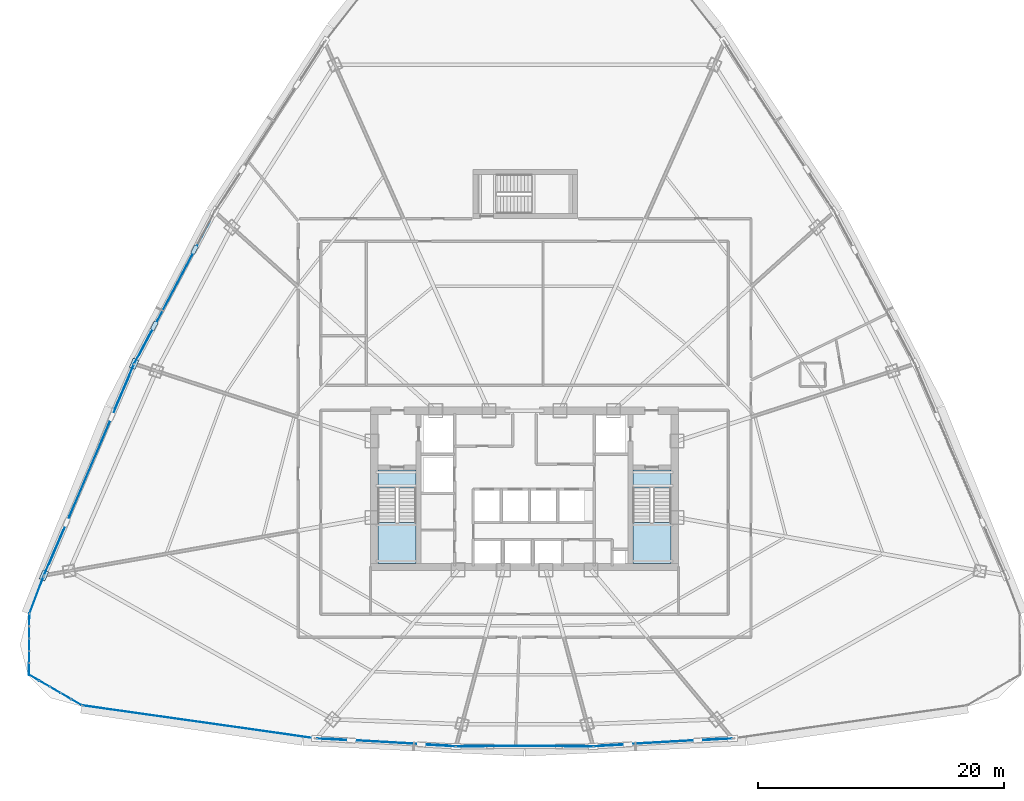
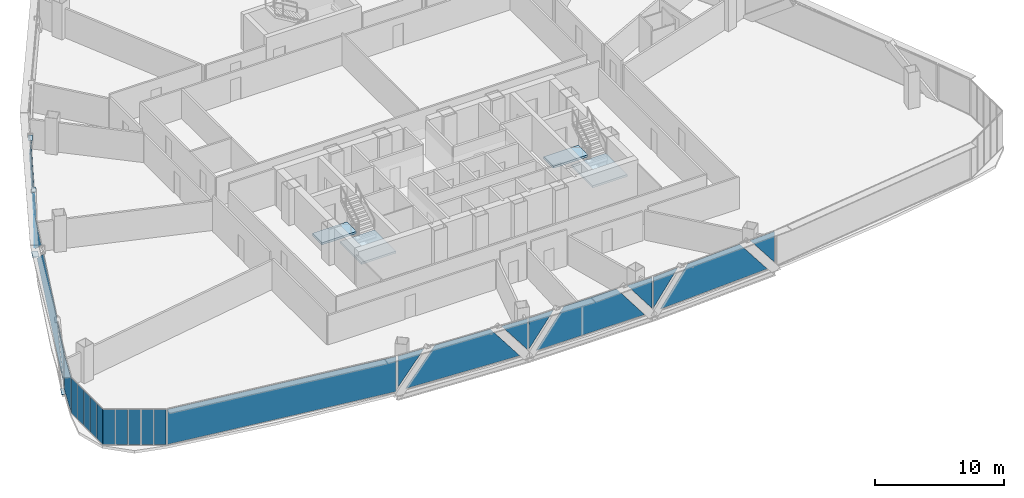
# One storey, part 31 of 42: 30 plates, 4 slabs, 11 elements without a shape of their own.
"""IFC4 building model written with IfcOpenShell, lengths in metres."""

from ifc_helpers import new_model, si_unit, direction, frame, origin, origin_2d, place, context, subcontext, project, spatial, polyline, rectangle, outline, extrude, source, transform, mapped, material, layer, layer_set, type_object, element, aggregate, save


model = new_model("IFC4")

# Units and contexts
model_context = context("Model", 3, precision=1e-05, world=origin(), true_north=direction((0.0, 1.0)))
body_context = subcontext(model_context, "Body", "Model", "MODEL_VIEW")
ifc_project = project(units=[si_unit("LENGTHUNIT", "METRE"), si_unit("AREAUNIT", "SQUARE_METRE"), si_unit("VOLUMEUNIT", "CUBIC_METRE"), si_unit("PLANEANGLEUNIT", "RADIAN"), si_unit("MASSUNIT", "GRAM", prefix="KILO"), si_unit("THERMODYNAMICTEMPERATUREUNIT", "KELVIN"), si_unit("POWERUNIT", "WATT")], contexts=[model_context])

# Site, building, storey
site_placement = place(None, origin())
site = spatial("IfcSite", under=ifc_project, at=site_placement, CompositionType="ELEMENT")
building_placement = place(site_placement, origin())
building = spatial("IfcBuilding", under=site, at=building_placement, Name="Yunzhuo Pagoda Commons", CompositionType="ELEMENT")
storey_placement = place(building_placement, frame((0.0, 0.0, 129.830078125)))
storey = spatial("IfcBuildingStorey", under=building, at=storey_placement, Name="L32", CompositionType="ELEMENT", Elevation=129.830078125)

# Curtain wall, plates
ifc_material_1 = material(Name="Anodized aluminium 6063-T6", Category="aluminium")
ifc_layer_1 = layer(ifc_material_1, 0.14990234375)
ifc_layer_set_1 = layer_set([ifc_layer_1], Name="Anodized aluminium 6063-T6")
curtain_wall_type_1 = type_object("IfcCurtainWallType", Name="CW-MID Mid-Zone Ribbon Curtain Wall", PredefinedType="NOTDEFINED", material=ifc_layer_set_1)
curtain_wall_1_placement = place(storey_placement, origin())
curtain_wall_1 = element("IfcCurtainWall", 1, at=curtain_wall_1_placement, inside=storey, type_object=curtain_wall_type_1, Name="L32 curtain wall CW-L32-F1B2", PredefinedType="NOTDEFINED")
ifc_material_2 = material(Name="Tempered low-e double glazing", Category="glass")
ifc_layer_2 = layer(ifc_material_2, 0.028076171875)
ifc_layer_set_2 = layer_set([ifc_layer_2], Name="Tempered low-e double glazing")
plate_type_1 = type_object("IfcPlateType", Name="CW-MID-P Low-E Double Glazing 28", PredefinedType="CURTAIN_PANEL", material=ifc_layer_set_2)
plate_1_placement = place(storey_placement, frame((32.287841796875, 13.5078125, 1.902587890625), z_axis=(-0.056741862165, -0.99838888269, 0.0), x_axis=(0.99838888269, -0.056741862165, 0.0)))
plate_1 = element("IfcPlate", 2, at=plate_1_placement, type_object=plate_type_1, Name="CW panel 1.1 lite 1", PredefinedType="CURTAIN_PANEL", context=body_context, shape_type="SweptSolid", body=[
    extrude(outline(polyline([(-1.127197265625, -1.46240234375), (1.12744140625, 1.46240234375), (-1.127197265625, 1.46240234375), (-1.127197265625, -1.46240234375)])), origin(), (0.0, 0.0, 1.0), 0.028076171875),
])
plate_2_placement = place(storey_placement, frame((36.76904296875, 13.283203125, 1.7099609375), z_axis=(-0.056741862165, -0.99838888269, 0.0), x_axis=(0.99838888269, -0.056741862165, 0.0)))
plate_2 = element("IfcPlate", 3, at=plate_2_placement, type_object=plate_type_1, Name="CW panel 1.1 lite 2", PredefinedType="CURTAIN_PANEL", context=body_context, shape_type="SweptSolid", body=[
    extrude(outline(polyline([(-4.951416015625, -1.655029296875), (4.951416015625, -1.655029296875), (2.399658203125, 1.655029296875), (-2.399658203125, 1.655029296875), (-4.951416015625, -1.655029296875)])), origin(), (0.0, 0.0, 1.0), 0.028076171875),
])
plate_3_placement = place(storey_placement, frame((41.24658203125, 12.998779296875, 1.902587890625), z_axis=(-0.056741862165, -0.99838888269, 0.0), x_axis=(0.99838888269, -0.056741862165, 0.0)))
plate_3 = element("IfcPlate", 4, at=plate_3_placement, type_object=plate_type_1, Name="CW panel 1.1 lite 3", PredefinedType="CURTAIN_PANEL", context=body_context, shape_type="SweptSolid", body=[
    extrude(outline(polyline([(-1.12744140625, 1.46240234375), (1.127197265625, -1.46240234375), (1.127197265625, 1.46240234375), (-1.12744140625, 1.46240234375)])), origin(), (0.0, 0.0, 1.0), 0.028076171875),
])
aggregate(curtain_wall_1, [plate_1, plate_2, plate_3])

curtain_wall_2_placement = place(storey_placement, origin())
curtain_wall_2 = element("IfcCurtainWall", 5, at=curtain_wall_2_placement, inside=storey, type_object=curtain_wall_type_1, Name="L32 curtain wall CW-L32-F1B3", PredefinedType="NOTDEFINED")
plate_4_placement = place(storey_placement, frame((43.594482421875, 12.931640625, 1.906982421875), z_axis=(0.0, -1.0, 0.0), x_axis=(1.0, 0.0, 0.0)))
plate_4 = element("IfcPlate", 6, at=plate_4_placement, type_object=plate_type_1, Name="CW panel 1.1 lite 1", PredefinedType="CURTAIN_PANEL", context=body_context, shape_type="SweptSolid", body=[
    extrude(outline(polyline([(-1.10302734375, -1.4580078125), (1.10302734375, 1.4580078125), (-1.10302734375, 1.4580078125), (-1.10302734375, -1.4580078125)])), origin(), (0.0, 0.0, 1.0), 0.028076171875),
])
plate_5_placement = place(storey_placement, frame((48.0, 12.96142578125, 1.7099609375), z_axis=(0.0, -1.0, 0.0), x_axis=(1.0, 0.0, 0.0)))
plate_5 = element("IfcPlate", 7, at=plate_5_placement, type_object=plate_type_1, Name="CW panel 1.1 lite 2", PredefinedType="CURTAIN_PANEL", context=body_context, shape_type="SweptSolid", body=[
    extrude(outline(polyline([(-4.85400390625, -1.655029296875), (4.85400390625, -1.655029296875), (2.349609375, 1.655029296875), (-2.349609375, 1.655029296875), (-4.85400390625, -1.655029296875)])), origin(), (0.0, 0.0, 1.0), 0.028076171875),
])
plate_6_placement = place(storey_placement, frame((52.405517578125, 12.931640625, 1.906982421875), z_axis=(0.0, -1.0, 0.0), x_axis=(1.0, 0.0, 0.0)))
plate_6 = element("IfcPlate", 8, at=plate_6_placement, type_object=plate_type_1, Name="CW panel 1.1 lite 3", PredefinedType="CURTAIN_PANEL", context=body_context, shape_type="SweptSolid", body=[
    extrude(outline(polyline([(-1.10302734375, 1.4580078125), (1.10302734375, -1.4580078125), (1.10302734375, 1.4580078125), (-1.10302734375, 1.4580078125)])), origin(), (0.0, 0.0, 1.0), 0.028076171875),
])
aggregate(curtain_wall_2, [plate_4, plate_5, plate_6])

curtain_wall_3_placement = place(storey_placement, origin())
curtain_wall_3 = element("IfcCurtainWall", 9, at=curtain_wall_3_placement, inside=storey, type_object=curtain_wall_type_1, Name="L32 curtain wall CW-L32-F1B4", PredefinedType="NOTDEFINED")
plate_7_placement = place(storey_placement, frame((54.75341796875, 12.998779296875, 1.902587890625), z_axis=(0.056741862165, -0.99838888269, 0.0), x_axis=(0.99838888269, 0.056741862165, 0.0)))
plate_7 = element("IfcPlate", 10, at=plate_7_placement, type_object=plate_type_1, Name="CW panel 1.1 lite 1", PredefinedType="CURTAIN_PANEL", context=body_context, shape_type="SweptSolid", body=[
    extrude(outline(polyline([(-1.127197265625, -1.46240234375), (1.12744140625, 1.46240234375), (-1.127197265625, 1.46240234375), (-1.127197265625, -1.46240234375)])), origin(), (0.0, 0.0, 1.0), 0.028076171875),
])
plate_8_placement = place(storey_placement, frame((59.23095703125, 13.283203125, 1.7099609375), z_axis=(0.056741862165, -0.99838888269, 0.0), x_axis=(0.99838888269, 0.056741862165, 0.0)))
plate_8 = element("IfcPlate", 11, at=plate_8_placement, type_object=plate_type_1, Name="CW panel 1.1 lite 2", PredefinedType="CURTAIN_PANEL", context=body_context, shape_type="SweptSolid", body=[
    extrude(outline(polyline([(-4.951416015625, -1.655029296875), (4.951416015625, -1.655029296875), (2.399658203125, 1.655029296875), (-2.399658203125, 1.655029296875), (-4.951416015625, -1.655029296875)])), origin(), (0.0, 0.0, 1.0), 0.028076171875),
])
plate_9_placement = place(storey_placement, frame((63.712158203125, 13.5078125, 1.902587890625), z_axis=(0.056741862165, -0.99838888269, 0.0), x_axis=(0.99838888269, 0.056741862165, 0.0)))
plate_9 = element("IfcPlate", 12, at=plate_9_placement, type_object=plate_type_1, Name="CW panel 1.1 lite 3", PredefinedType="CURTAIN_PANEL", context=body_context, shape_type="SweptSolid", body=[
    extrude(outline(polyline([(-1.12744140625, 1.46240234375), (1.127197265625, -1.46240234375), (1.127197265625, 1.46240234375), (-1.12744140625, 1.46240234375)])), origin(), (0.0, 0.0, 1.0), 0.028076171875),
])
aggregate(curtain_wall_3, [plate_7, plate_8, plate_9])

curtain_wall_4_placement = place(storey_placement, origin())
curtain_wall_4 = element("IfcCurtainWall", 13, at=curtain_wall_4_placement, inside=storey, type_object=curtain_wall_type_1, Name="L32 curtain wall CW-L32-F3B3", PredefinedType="NOTDEFINED")
plate_10_placement = place(storey_placement, frame((19.591796875, 50.166015625, 1.7099609375), z_axis=(-0.883694161172, 0.468064770635, 0.0), x_axis=(-0.468064770635, -0.883694161172, 0.0)))
plate_10 = element("IfcPlate", 14, at=plate_10_placement, type_object=plate_type_1, Name="CW panel 1.1 lite 2", PredefinedType="CURTAIN_PANEL", context=body_context, shape_type="SweptSolid", body=[
    extrude(outline(polyline([(-6.169921875, -1.655029296875), (6.169921875, -1.655029296875), (3.024658203125, 1.655029296875), (-3.024658203125, 1.655029296875), (-6.169921875, -1.655029296875)])), origin(), (0.0, 0.0, 1.0), 0.028076171875),
])
plate_11_placement = place(storey_placement, frame((16.989501953125, 45.31689453125, 1.85986328125), z_axis=(-0.883694161172, 0.468064770635, 0.0), x_axis=(-0.468064770635, -0.883694161172, 0.0)))
plate_11 = element("IfcPlate", 15, at=plate_11_placement, type_object=plate_type_1, Name="CW panel 1.1 lite 3", PredefinedType="CURTAIN_PANEL", context=body_context, shape_type="SweptSolid", body=[
    extrude(outline(polyline([(-1.43017578125, 1.505126953125), (1.43017578125, -1.505126953125), (1.43017578125, 1.505126953125), (-1.43017578125, 1.505126953125)])), origin(), (0.0, 0.0, 1.0), 0.028076171875),
])
aggregate(curtain_wall_4, [plate_10, plate_11])

curtain_wall_5_placement = place(storey_placement, origin())
curtain_wall_5 = element("IfcCurtainWall", 16, at=curtain_wall_5_placement, inside=storey, type_object=curtain_wall_type_1, Name="L32 curtain wall CW-L32-F3B4", PredefinedType="NOTDEFINED")
plate_12_placement = place(storey_placement, frame((15.498779296875, 42.138916015625, 1.81787109375), z_axis=(-0.919928137274, 0.392087008522, 0.0), x_axis=(-0.392087008522, -0.919928137274, 0.0)))
plate_12 = element("IfcPlate", 17, at=plate_12_placement, type_object=plate_type_1, Name="CW panel 1.1 lite 1", PredefinedType="CURTAIN_PANEL", context=body_context, shape_type="SweptSolid", body=[
    extrude(outline(polyline([(-1.964111328125, -1.547119140625), (1.964111328125, 1.547119140625), (-1.964111328125, 1.547119140625), (-1.964111328125, -1.547119140625)])), origin(), (0.0, 0.0, 1.0), 0.028076171875),
])
plate_13_placement = place(storey_placement, frame((12.65625, 35.393310546875, 1.7099609375), z_axis=(-0.919928137274, 0.392087008522, 0.0), x_axis=(-0.392087008522, -0.919928137274, 0.0)))
plate_13 = element("IfcPlate", 18, at=plate_13_placement, type_object=plate_type_1, Name="CW panel 1.1 lite 2", PredefinedType="CURTAIN_PANEL", context=body_context, shape_type="SweptSolid", body=[
    extrude(outline(polyline([(-8.330078125, -1.655029296875), (8.330078125, -1.655029296875), (4.127685546875, 1.655029296875), (-4.127685546875, 1.655029296875), (-8.330078125, -1.655029296875)])), origin(), (0.0, 0.0, 1.0), 0.028076171875),
])
plate_14_placement = place(storey_placement, frame((9.758544921875, 28.671142578125, 1.81787109375), z_axis=(-0.919928137274, 0.392087008522, 0.0), x_axis=(-0.392087008522, -0.919928137274, 0.0)))
plate_14 = element("IfcPlate", 19, at=plate_14_placement, type_object=plate_type_1, Name="CW panel 1.1 lite 3", PredefinedType="CURTAIN_PANEL", context=body_context, shape_type="SweptSolid", body=[
    extrude(outline(polyline([(-1.964111328125, 1.547119140625), (1.964111328125, -1.547119140625), (1.964111328125, 1.547119140625), (-1.964111328125, 1.547119140625)])), origin(), (0.0, 0.0, 1.0), 0.028076171875),
])
aggregate(curtain_wall_5, [plate_12, plate_13, plate_14])

# Stair, slabs
ifc_material_3 = material(Name="Concrete C40", Category="concrete")
stair_type_1 = type_object("IfcStairType", Name="ST-C1 Core Smokeproof Stair ST1", PredefinedType="HALF_TURN_STAIR", material=ifc_material_3)
stair_1_placement = place(storey_placement, origin())
stair_1 = element("IfcStair", 20, at=stair_1_placement, inside=storey, type_object=stair_type_1, Name="L32 Core smokeproof stair ST1", PredefinedType="HALF_TURN_STAIR")
ifc_layer_3 = layer(ifc_material_3, 0.199951171875)
ifc_layer_set_3 = layer_set([ifc_layer_3], Name="Concrete C40")
slab_type_1 = type_object("IfcSlabType", Name="SL-LND1 Stair Landing Slab 200", PredefinedType="LANDING", material=ifc_layer_set_3)
slab_1_placement = place(storey_placement, frame((0.0, 0.0, 1.639892578125)))
slab_1 = element("IfcSlab", 21, at=slab_1_placement, type_object=slab_type_1, Name="ST1 landing 1", PredefinedType="LANDING", context=body_context, shape_type="SweptSolid", body=[
    extrude(outline(polyline([(36.10009765625, 31.10009765625), (36.10009765625, 27.800048828125), (39.199951171875, 27.800048828125), (39.199951171875, 31.10009765625), (36.10009765625, 31.10009765625)])), origin(), (0.0, 0.0, 1.0), 0.199951171875),
])
slab_2_placement = place(storey_placement, frame((0.0, 0.0, -0.2001953125)))
slab_2 = element("IfcSlab", 22, at=slab_2_placement, type_object=slab_type_1, Name="ST1 floor landing L32", PredefinedType="LANDING", context=body_context, shape_type="SweptSolid", body=[
    extrude(outline(polyline([(36.10009765625, 35.39990234375), (36.10009765625, 33.89990234375), (39.199951171875, 33.89990234375), (39.199951171875, 35.39990234375), (36.10009765625, 35.39990234375)])), origin(), (0.0, 0.0, 1.0), 0.2001953125),
])
aggregate(stair_1, [slab_1, slab_2])

stair_type_2 = type_object("IfcStairType", Name="ST-C2 Core Smokeproof Stair ST2", PredefinedType="HALF_TURN_STAIR", material=ifc_material_3)
stair_2_placement = place(storey_placement, origin())
stair_2 = element("IfcStair", 23, at=stair_2_placement, inside=storey, type_object=stair_type_2, Name="L32 Core smokeproof stair ST2", PredefinedType="HALF_TURN_STAIR")
ifc_layer_4 = layer(ifc_material_3, 0.201904296875)
ifc_layer_set_4 = layer_set([ifc_layer_4], Name="Concrete C40")
slab_type_2 = type_object("IfcSlabType", Name="SL-LND2 Stair Landing Slab 202", PredefinedType="LANDING", material=ifc_layer_set_4)
slab_3_placement = place(storey_placement, frame((0.0, 0.0, 1.639892578125)))
slab_3 = element("IfcSlab", 24, at=slab_3_placement, type_object=slab_type_2, Name="ST2 landing 1", PredefinedType="LANDING", context=body_context, shape_type="SweptSolid", body=[
    extrude(outline(polyline([(56.800048828125, 31.10009765625), (56.800048828125, 27.800048828125), (59.89990234375, 27.800048828125), (59.89990234375, 31.10009765625), (56.800048828125, 31.10009765625)])), origin(), (0.0, 0.0, 1.0), 0.199951171875),
])
slab_4_placement = place(storey_placement, frame((0.0, 0.0, -0.2001953125)))
slab_4 = element("IfcSlab", 25, at=slab_4_placement, type_object=slab_type_2, Name="ST2 floor landing L32", PredefinedType="LANDING", context=body_context, shape_type="SweptSolid", body=[
    extrude(outline(polyline([(56.800048828125, 35.39990234375), (56.800048828125, 33.89990234375), (59.89990234375, 33.89990234375), (59.89990234375, 35.39990234375), (56.800048828125, 35.39990234375)])), origin(), (0.0, 0.0, 1.0), 0.2001953125),
])
aggregate(stair_2, [slab_3, slab_4])

# Plates
ifc_material_4 = material(Name="Structural steel Q355B", Category="steel")
ifc_layer_5 = layer(ifc_material_4, 0.028076171875)
ifc_layer_set_5 = layer_set([ifc_layer_5], Name="Structural steel Q355B")
plate_type_2 = type_object("IfcPlateType", Name="SP-ND1 Lattice Node Cap Plate 800x500x28", PredefinedType="USERDEFINED", material=ifc_layer_set_5)
shared_shape_1 = source(origin(), body_context, "Body", "SweptSolid", [
    extrude(rectangle(XDim=0.800048828125, YDim=0.5, at=origin_2d()), origin(), (0.0, 0.0, 1.0), 0.028076171875),
])
for number, where, z_axis, x_axis, name in (
    (26, (16.279541015625, 44.006591796875, -0.27392578125), (0.0, 0.0, 1.0), (-0.392080238691, -0.919931022647, 0.0), "L32 diamond node plate F3.3A"),
    (27, (8.9521484375, 26.814697265625, -0.27392578125), (0.0, 0.0, 1.0), (-0.392080238691, -0.919931022647, 0.0), "L32 diamond node plate F3.3B"),
):
    element("IfcPlate", number, at=place(storey_placement, frame(where, z_axis=z_axis, x_axis=x_axis)), inside=storey, type_object=plate_type_2, Name=name, ObjectType="STIFFENER_PLATE", PredefinedType="USERDEFINED", context=body_context, shape_type="MappedRepresentation", body=[
        mapped(shared_shape_1, transform((0.0, 0.0, 0.0), scale=1.0)),
    ])
shared_shape_2 = source(origin(), body_context, "Body", "SweptSolid", [
    extrude(rectangle(XDim=0.699951171875, YDim=0.35009765625, at=origin_2d()), origin(), (0.0, 0.0, 1.0), 0.035888671875),
])
for number, where, z_axis, x_axis, name in (
    (28, (21.189453125, 53.276611328125, 3.3818359375), (0.0, 0.0, 1.0), (-0.468068630068, -0.883692116943, 0.0), "L32 setback lattice tie plate F3.2L"),
    (29, (17.916259765625, 47.0966796875, 3.3818359375), (0.0, 0.0, 1.0), (-0.468068630068, -0.883692116943, 0.0), "L32 setback lattice tie plate F3.2R"),
):
    element("IfcPlate", number, at=place(storey_placement, frame(where, z_axis=z_axis, x_axis=x_axis)), inside=storey, type_object=plate_type_2, Name=name, ObjectType="STIFFENER_PLATE", PredefinedType="USERDEFINED", context=body_context, shape_type="MappedRepresentation", body=[
        mapped(shared_shape_2, transform((0.0, 0.0, 0.0), scale=1.0)),
    ])

# Curtain wall, plate
curtain_wall_6_placement = place(storey_placement, origin())
curtain_wall_6 = element("IfcCurtainWall", 30, at=curtain_wall_6_placement, inside=storey, type_object=curtain_wall_type_1, Name="L32 curtain wall CW-L32-F1B1", PredefinedType="NOTDEFINED")
shared_shape_3 = source(origin(), body_context, "Body", "SweptSolid", [
    extrude(rectangle(XDim=19.068359375, YDim=0.028076171875, at=origin_2d()), origin(), (0.0, 0.0, 1.0), 3.31005859375),
])
plate_15_placement = place(storey_placement, frame((21.527587890625, 14.915283203125, 0.054931640625), z_axis=(0.0, 0.0, 1.0), x_axis=(0.990147694104, -0.140026939768, 0.0)))
plate_15 = element("IfcPlate", 31, at=plate_15_placement, type_object=plate_type_1, Name="CW panel 1.1", PredefinedType="CURTAIN_PANEL", context=body_context, shape_type="MappedRepresentation", body=[
    mapped(shared_shape_3, transform((0.0, 0.0, 0.0), scale=1.0)),
])
aggregate(curtain_wall_6, [plate_15])

curtain_wall_7_placement = place(storey_placement, origin())
curtain_wall_7 = element("IfcCurtainWall", 32, at=curtain_wall_7_placement, inside=storey, type_object=curtain_wall_type_1, Name="L32 curtain wall CW-L32-F3B5", PredefinedType="NOTDEFINED")
shared_shape_4 = source(origin(), body_context, "Body", "SweptSolid", [
    extrude(rectangle(XDim=3.15576171875, YDim=0.028076171875, at=origin_2d()), origin(), (0.0, 0.0, 1.0), 3.31005859375),
])
plate_16_placement = place(storey_placement, frame((8.34619140625, 25.212646484375, 0.054931640625), z_axis=(0.0, 0.0, 1.0), x_axis=(-0.353798274003, -0.935321752827, 0.0)))
plate_16 = element("IfcPlate", 33, at=plate_16_placement, type_object=plate_type_1, Name="CW panel 1.1", PredefinedType="CURTAIN_PANEL", context=body_context, shape_type="MappedRepresentation", body=[
    mapped(shared_shape_4, transform((0.0, 0.0, 0.0), scale=1.0)),
])
aggregate(curtain_wall_7, [plate_16])

# Curtain wall, plates
ifc_layer_6 = layer(ifc_material_1, 0.1298828125)
ifc_layer_set_6 = layer_set([ifc_layer_6], Name="Anodized aluminium 6063-T6")
curtain_wall_type_2 = type_object("IfcCurtainWallType", Name="CW-VTX Rounded Corner Curtain Wall", PredefinedType="NOTDEFINED", material=ifc_layer_set_6)
curtain_wall_8_placement = place(storey_placement, origin())
curtain_wall_8 = element("IfcCurtainWall", 34, at=curtain_wall_8_placement, inside=storey, type_object=curtain_wall_type_2, Name="L32 curtain wall CW-L32-VTX1S1", PredefinedType="NOTDEFINED")
ifc_layer_7 = layer(ifc_material_2, 0.02587890625)
ifc_layer_set_7 = layer_set([ifc_layer_7], Name="Tempered low-e double glazing")
plate_type_3 = type_object("IfcPlateType", Name="CW-VTX-P Low-E Double Glazing 26", PredefinedType="CURTAIN_PANEL", material=ifc_layer_set_7)
shared_shape_5 = source(origin(), body_context, "Body", "SweptSolid", [
    extrude(rectangle(XDim=0.915771484375, YDim=0.028076171875, at=origin_2d()), origin(), (0.0, 0.0, 1.0), 3.31005859375),
])
plate_17_placement = place(storey_placement, frame((7.7646484375, 23.16796875, 0.054931640625), z_axis=(0.0, 0.0, 1.0), x_axis=(-0.003586576275, -0.999993568215, 0.0)))
plate_17 = element("IfcPlate", 35, at=plate_17_placement, type_object=plate_type_3, Name="CW panel 1.1", PredefinedType="CURTAIN_PANEL", context=body_context, shape_type="MappedRepresentation", body=[
    mapped(shared_shape_5, transform((0.0, 0.0, 0.0), scale=1.0)),
])
plate_18_placement = place(storey_placement, frame((7.75048828125, 19.20263671875, 0.054931640625), z_axis=(0.0, 0.0, 1.0), x_axis=(-0.003586576275, -0.999993568215, 0.0)))
plate_18 = element("IfcPlate", 36, at=plate_18_placement, type_object=plate_type_3, Name="CW panel 5.1", PredefinedType="CURTAIN_PANEL", context=body_context, shape_type="MappedRepresentation", body=[
    mapped(shared_shape_5, transform((0.0, 0.0, 0.0), scale=1.0)),
])

curtain_wall_9_placement = place(storey_placement, origin())
curtain_wall_9 = element("IfcCurtainWall", 37, at=curtain_wall_9_placement, inside=storey, type_object=curtain_wall_type_2, Name="L32 curtain wall CW-L32-VTX1S2", PredefinedType="NOTDEFINED")
plate_19_placement = place(storey_placement, frame((8.152587890625, 18.50244140625, 0.054931640625), z_axis=(0.0, 0.0, 1.0), x_axis=(0.865425370946, -0.501037850191, 0.0)))
plate_19 = element("IfcPlate", 38, at=plate_19_placement, type_object=plate_type_3, Name="CW panel 1.1", PredefinedType="CURTAIN_PANEL", context=body_context, shape_type="MappedRepresentation", body=[
    mapped(shared_shape_5, transform((0.0, 0.0, 0.0), scale=1.0)),
])
plate_20_placement = place(storey_placement, frame((11.584228515625, 16.515869140625, 0.054931640625), z_axis=(0.0, 0.0, 1.0), x_axis=(0.865425370946, -0.501037850191, 0.0)))
plate_20 = element("IfcPlate", 39, at=plate_20_placement, type_object=plate_type_3, Name="CW panel 5.1", PredefinedType="CURTAIN_PANEL", context=body_context, shape_type="MappedRepresentation", body=[
    mapped(shared_shape_5, transform((0.0, 0.0, 0.0), scale=1.0)),
])

# Plate
shared_shape_6 = source(origin(), body_context, "Body", "SweptSolid", [
    extrude(rectangle(XDim=0.943115234375, YDim=0.028076171875, at=origin_2d()), origin(), (0.0, 0.0, 1.0), 3.31005859375),
])
plate_21_placement = place(storey_placement, frame((7.76123046875, 22.183349609375, 0.054931640625), z_axis=(0.0, 0.0, 1.0), x_axis=(-0.003586576275, -0.999993568215, 0.0)))
plate_21 = element("IfcPlate", 40, at=plate_21_placement, type_object=plate_type_3, Name="CW panel 2.1", PredefinedType="CURTAIN_PANEL", context=body_context, shape_type="MappedRepresentation", body=[
    mapped(shared_shape_6, transform((0.0, 0.0, 0.0), scale=1.0)),
])

plate_22_placement = place(storey_placement, frame((7.757568359375, 21.185302734375, 0.054931640625), z_axis=(0.0, 0.0, 1.0), x_axis=(-0.003586576275, -0.999993568215, 0.0)))
plate_22 = element("IfcPlate", 41, at=plate_22_placement, type_object=plate_type_3, Name="CW panel 3.1", PredefinedType="CURTAIN_PANEL", context=body_context, shape_type="MappedRepresentation", body=[
    mapped(shared_shape_6, transform((0.0, 0.0, 0.0), scale=1.0)),
])

plate_23_placement = place(storey_placement, frame((7.754150390625, 20.187255859375, 0.054931640625), z_axis=(0.0, 0.0, 1.0), x_axis=(-0.003586576275, -0.999993568215, 0.0)))
plate_23 = element("IfcPlate", 42, at=plate_23_placement, type_object=plate_type_3, Name="CW panel 4.1", PredefinedType="CURTAIN_PANEL", context=body_context, shape_type="MappedRepresentation", body=[
    mapped(shared_shape_6, transform((0.0, 0.0, 0.0), scale=1.0)),
])

aggregate(curtain_wall_8, [plate_17, plate_21, plate_22, plate_23, plate_18])

plate_24_placement = place(storey_placement, frame((9.004638671875, 18.00927734375, 0.054931640625), z_axis=(0.0, 0.0, 1.0), x_axis=(0.865425370946, -0.501037850191, 0.0)))
plate_24 = element("IfcPlate", 43, at=plate_24_placement, type_object=plate_type_3, Name="CW panel 2.1", PredefinedType="CURTAIN_PANEL", context=body_context, shape_type="MappedRepresentation", body=[
    mapped(shared_shape_6, transform((0.0, 0.0, 0.0), scale=1.0)),
])

plate_25_placement = place(storey_placement, frame((9.868408203125, 17.509033203125, 0.054931640625), z_axis=(0.0, 0.0, 1.0), x_axis=(0.865425370946, -0.501037850191, 0.0)))
plate_25 = element("IfcPlate", 44, at=plate_25_placement, type_object=plate_type_3, Name="CW panel 3.1", PredefinedType="CURTAIN_PANEL", context=body_context, shape_type="MappedRepresentation", body=[
    mapped(shared_shape_6, transform((0.0, 0.0, 0.0), scale=1.0)),
])

plate_26_placement = place(storey_placement, frame((10.732177734375, 17.009033203125, 0.054931640625), z_axis=(0.0, 0.0, 1.0), x_axis=(0.865425370946, -0.501037850191, 0.0)))
plate_26 = element("IfcPlate", 45, at=plate_26_placement, type_object=plate_type_3, Name="CW panel 4.1", PredefinedType="CURTAIN_PANEL", context=body_context, shape_type="MappedRepresentation", body=[
    mapped(shared_shape_6, transform((0.0, 0.0, 0.0), scale=1.0)),
])

aggregate(curtain_wall_9, [plate_19, plate_24, plate_25, plate_26, plate_20])

save(model, "model.ifc")
